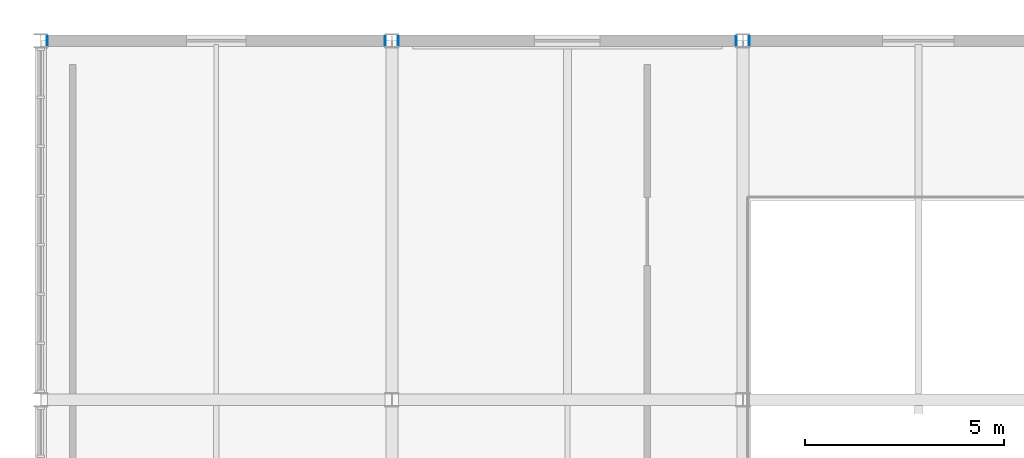
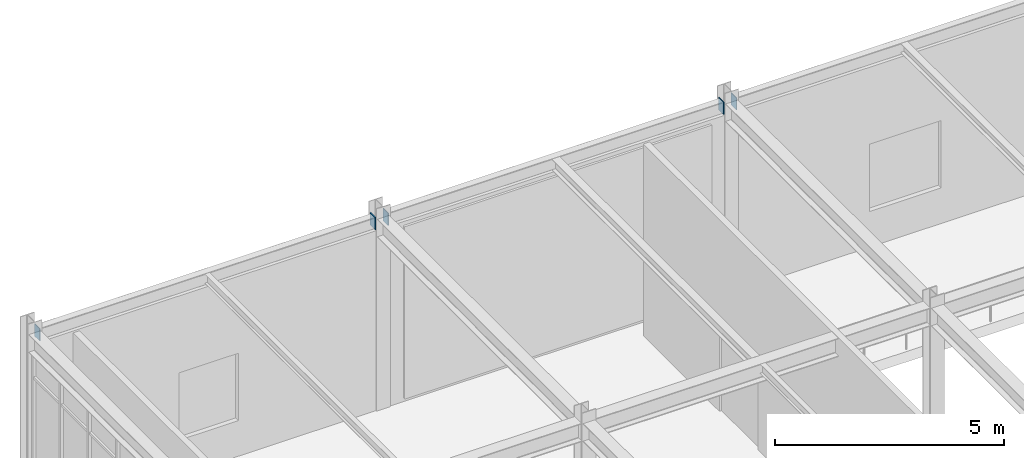
# One storey, part 138 of 184: 5 plates.
"""IFC4 building model written with IfcOpenShell, lengths in metres."""

from ifc_helpers import new_model, si_unit, direction, frame, origin, origin_2d, place, context, subcontext, project, spatial, rectangle, extrude, material, layer, layer_set, type_object, element, save


model = new_model("IFC4")

# Units and contexts
model_context = context("Model", 3, precision=1e-05, world=origin(), true_north=direction((0.0, 1.0)))
body_context = subcontext(model_context, "Body", "Model", "MODEL_VIEW")
ifc_project = project(units=[si_unit("LENGTHUNIT", "METRE"), si_unit("AREAUNIT", "SQUARE_METRE"), si_unit("VOLUMEUNIT", "CUBIC_METRE"), si_unit("PLANEANGLEUNIT", "RADIAN"), si_unit("MASSUNIT", "GRAM", prefix="KILO")], contexts=[model_context])

# Site, building, storey
site_placement = place(None, origin())
site = spatial("IfcSite", under=ifc_project, at=site_placement, CompositionType="ELEMENT")
building_placement = place(site_placement, origin())
building = spatial("IfcBuilding", under=site, at=building_placement, Name="Zhaolan Boulevard Law Courts", CompositionType="ELEMENT")
storey_placement = place(building_placement, frame((0.0, 0.0, 5.39990234375)))
storey = spatial("IfcBuildingStorey", under=building, at=storey_placement, Name="L01", CompositionType="ELEMENT", Elevation=5.39990234375)

# Plates
ifc_material = material(Name="Structural steel Q355B", Category="steel")
ifc_layer = layer(ifc_material, 0.02001953125)
ifc_layer_set = layer_set([ifc_layer])
plate_type = type_object("IfcPlateType", Name="END CAP PLATE 20", PredefinedType="SHEET", material=ifc_layer_set)
for number, where, z_axis, x_axis, name in (
    (1, (0.1630859375, 112.0, 4.802978515625), (0.0, 0.0, 1.0), (1.0, 0.0, 0.0), "Hollow Section End-Cap Plate ECP-0853"),
    (2, (8.636962890625, 112.0, 4.802978515625), (0.0, 0.0, 1.0), (1.0, 0.0, 0.0), "Hollow Section End-Cap Plate ECP-0854"),
    (3, (8.962890625, 112.0, 4.802978515625), (0.0, 0.0, 1.0), (1.0, 0.0, 0.0), "Hollow Section End-Cap Plate ECP-0855"),
    (4, (17.43701171875, 112.0, 4.802978515625), (0.0, 0.0, 1.0), (1.0, 0.0, 0.0), "Hollow Section End-Cap Plate ECP-0856"),
    (5, (17.762939453125, 112.0, 4.802978515625), (0.0, 0.0, 1.0), (1.0, 0.0, 0.0), "Hollow Section End-Cap Plate ECP-0857"),
):
    element("IfcPlate", number, at=place(storey_placement, frame(where, z_axis=z_axis, x_axis=x_axis)), inside=storey, type_object=plate_type, Name=name, PredefinedType="SHEET", context=body_context, shape_type="SweptSolid", body=[
        extrude(rectangle(XDim=0.02001953125, YDim=0.22998046875, at=origin_2d()), origin(), (0.0, 0.0, 1.0), 0.330078125),
    ])

save(model, "model.ifc")
